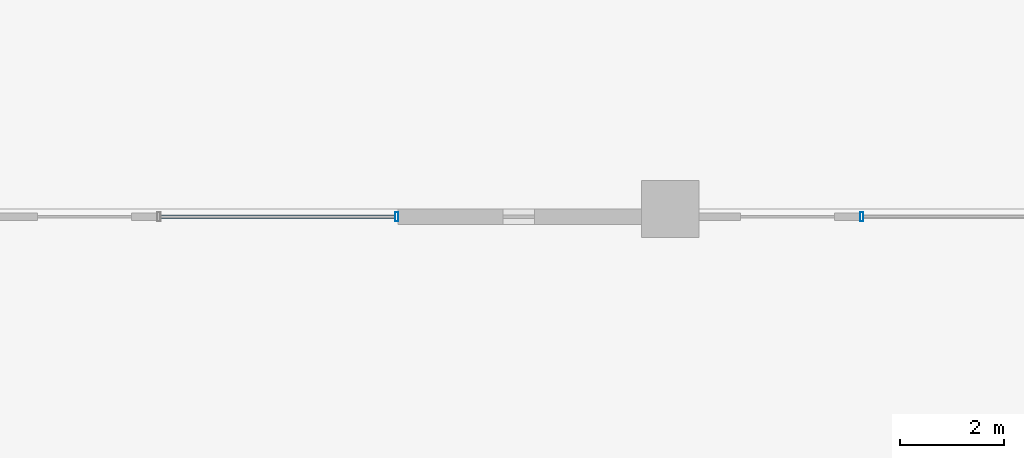
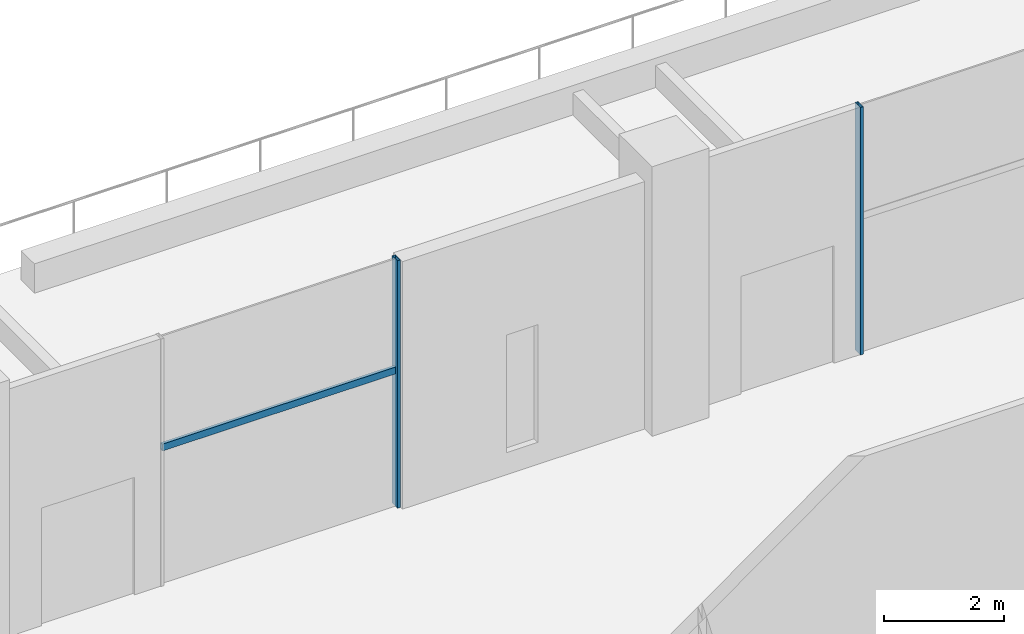
# One storey, part 11 of 47: 3 members, 2 elements without a shape of their own.
"""IFC4 building model written with IfcOpenShell, lengths in metres."""

from ifc_helpers import new_model, si_unit, direction, frame, origin, origin_2d, place, context, subcontext, project, spatial, hollow_rectangle, extrude, material, material_profile, profile_set, type_object, element, aggregate, save


model = new_model("IFC4")

# Units and contexts
model_context = context("Model", 3, precision=1e-05, world=origin(), true_north=direction((0.0, 1.0)))
body_context = subcontext(model_context, "Body", "Model", "MODEL_VIEW")
ifc_project = project(units=[si_unit("LENGTHUNIT", "METRE"), si_unit("AREAUNIT", "SQUARE_METRE"), si_unit("VOLUMEUNIT", "CUBIC_METRE"), si_unit("PLANEANGLEUNIT", "RADIAN"), si_unit("MASSUNIT", "GRAM", prefix="KILO")], contexts=[model_context])

# Site, building, storey
site_placement = place(None, origin())
site = spatial("IfcSite", under=ifc_project, at=site_placement, CompositionType="ELEMENT")
building_placement = place(site_placement, origin())
building = spatial("IfcBuilding", under=site, at=building_placement, Name="Altepetl Exchange Towers", CompositionType="ELEMENT")
storey_placement = place(building_placement, frame((0.0, 0.0, 6.0)))
storey = spatial("IfcBuildingStorey", under=building, at=storey_placement, Name="L01 Retail podium", CompositionType="ELEMENT", Elevation=6.0)

# Curtain wall, member
ifc_material_1 = material(Name="Aluminium 6063-T6 glazing", Category="aluminium")
curtain_wall_type = type_object("IfcCurtainWallType", Name="Podium storefront system", PredefinedType="NOTDEFINED", material=ifc_material_1)
curtain_wall_1_placement = place(storey_placement, origin())
curtain_wall_1 = element("IfcCurtainWall", 1, at=curtain_wall_1_placement, inside=storey, type_object=curtain_wall_type, Name="CW5 run", PredefinedType="NOTDEFINED")
ifc_material_2 = material(Name="Aluminium 6063-T6", Category="aluminium")
ifc_material_profile_1 = material_profile(ifc_material_2, hollow_rectangle(XDim=0.06005859375, YDim=0.175048828125, WallThickness=0.0029296875, at=origin_2d()), Name="Mullion 60x175 aluminium")
ifc_profile_set_1 = profile_set([ifc_material_profile_1], Name="Aluminium 6063-T6")
member_type_1 = type_object("IfcMemberType", Name="Mullion 60x175 aluminium", PredefinedType="MULLION", material=ifc_profile_set_1)
member_1_placement = place(storey_placement, frame((53.179931640625, 89.85009765625, 0.0), z_axis=(0.0, 0.0, 1.0), x_axis=(-1.0, 0.0, 0.0)))
member_1 = element("IfcMember", 2, at=member_1_placement, type_object=member_type_1, Name="MU4 mullion", PredefinedType="MULLION", context=body_context, shape_type="SweptSolid", body=[
    extrude(hollow_rectangle(XDim=0.06005859375, YDim=0.175048828125, WallThickness=0.0029296875, at=origin_2d()), origin(), (0.0, 0.0, 1.0), 5.050048828125),
])
aggregate(curtain_wall_1, [member_1])

# Curtain wall, members
curtain_wall_2_placement = place(storey_placement, origin())
curtain_wall_2 = element("IfcCurtainWall", 3, at=curtain_wall_2_placement, inside=storey, type_object=curtain_wall_type, Name="CW5 run", PredefinedType="NOTDEFINED")
member_2_placement = place(storey_placement, frame((44.2451171875, 89.85009765625, 0.0), z_axis=(0.0, 0.0, 1.0), x_axis=(-1.0, 0.0, 0.0)))
member_2 = element("IfcMember", 4, at=member_2_placement, type_object=member_type_1, Name="MU4 mullion", PredefinedType="MULLION", context=body_context, shape_type="SweptSolid", body=[
    extrude(hollow_rectangle(XDim=0.06005859375, YDim=0.175048828125, WallThickness=0.0029296875, at=origin_2d()), origin(), (0.0, 0.0, 1.0), 5.050048828125),
])
ifc_material_profile_2 = material_profile(ifc_material_2, hollow_rectangle(XDim=0.06005859375, YDim=0.139892578125, WallThickness=0.0029296875, at=origin_2d()), Name="Transom 60x140 aluminium")
ifc_profile_set_2 = profile_set([ifc_material_profile_2], Name="Aluminium 6063-T6")
member_type_2 = type_object("IfcMemberType", Name="Transom 60x140 aluminium", PredefinedType="USERDEFINED", material=ifc_profile_set_2)
member_3_placement = place(storey_placement, frame((44.215087890625, 89.85009765625, 2.780029296875), z_axis=(-1.0, 0.0, 0.0), x_axis=(0.0, -1.0, 0.0)))
member_3 = element("IfcMember", 5, at=member_3_placement, type_object=member_type_2, Name="TR3 transom", ObjectType="TRANSOM", PredefinedType="USERDEFINED", context=body_context, shape_type="SweptSolid", body=[
    extrude(hollow_rectangle(XDim=0.06005859375, YDim=0.139892578125, WallThickness=0.0029296875, at=origin_2d()), origin(), (0.0, 0.0, 1.0), 4.505126953125),
])
aggregate(curtain_wall_2, [member_2, member_3])

save(model, "model.ifc")
